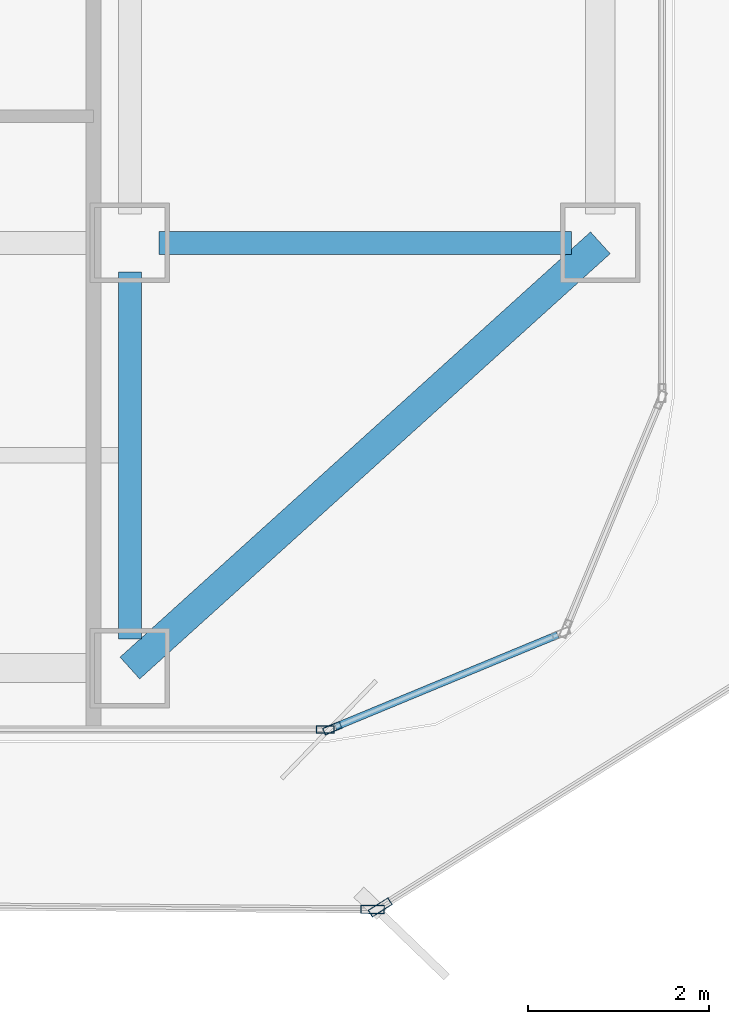
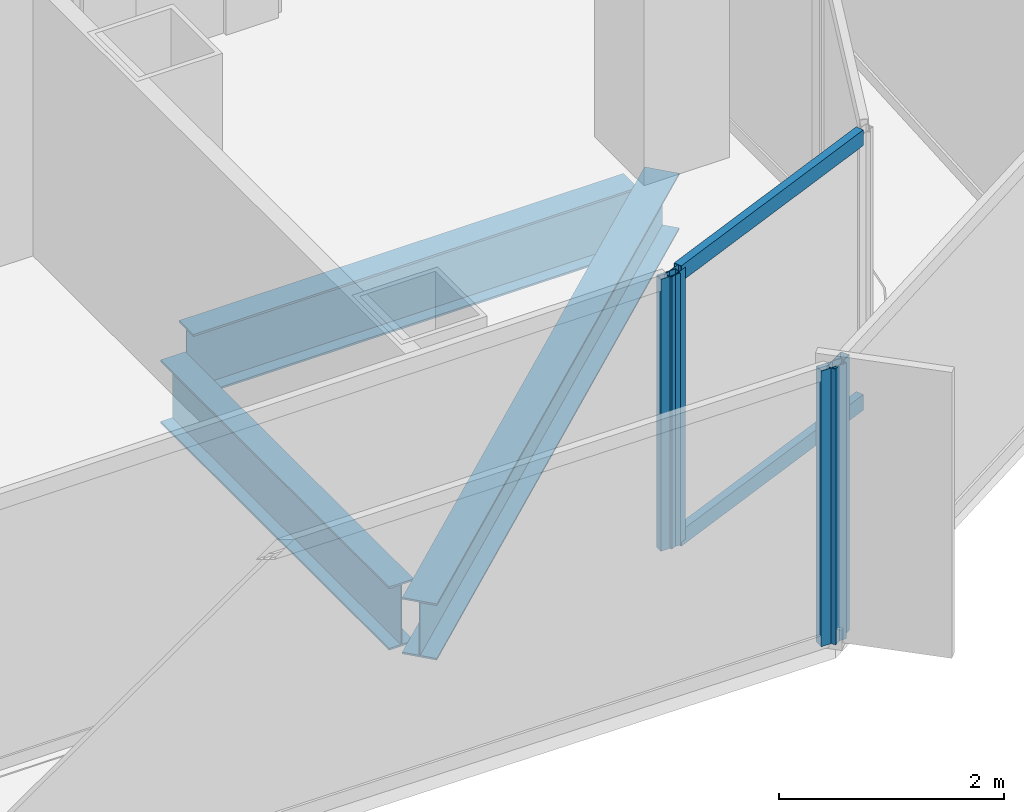
# One storey, part 6 of 21: 6 members, 3 beams, 4 elements without a shape of their own.
"""IFC4 building model written with IfcOpenShell, lengths in metres."""

from ifc_helpers import new_model, si_unit, direction, frame, origin, origin_2d, place, context, subcontext, project, spatial, hollow_rectangle, i_section, extrude, source, transform, mapped, material, layer, layer_set, material_profile, profile_set, type_object, element, aggregate, save


model = new_model("IFC4")

# Units and contexts
model_context = context("Model", 3, precision=1e-05, world=origin(), true_north=direction((0.0, 1.0)))
body_context = subcontext(model_context, "Body", "Model", "MODEL_VIEW")
ifc_project = project(units=[si_unit("LENGTHUNIT", "METRE"), si_unit("AREAUNIT", "SQUARE_METRE"), si_unit("VOLUMEUNIT", "CUBIC_METRE"), si_unit("PLANEANGLEUNIT", "RADIAN"), si_unit("MASSUNIT", "GRAM", prefix="KILO")], contexts=[model_context])

# Site, building, storey
site_placement = place(None, origin())
site = spatial("IfcSite", under=ifc_project, at=site_placement, CompositionType="ELEMENT")
building_placement = place(site_placement, origin())
building = spatial("IfcBuilding", under=site, at=building_placement, Name="Kolveth Station Tower", CompositionType="ELEMENT")
storey_placement = place(building_placement, frame((0.0, 0.0, 105.5)))
storey = spatial("IfcBuildingStorey", under=building, at=storey_placement, Name="L28", CompositionType="ELEMENT", Elevation=105.5)

# Beams
ifc_material_1 = material(Name="Steel S355", Category="steel")
ifc_material_profile_1 = material_profile(ifc_material_1, i_section(OverallWidth=0.323974609375, OverallDepth=0.611083984375, WebThickness=0.0126953125, FlangeThickness=0.01904296875, at=origin_2d()), Name="W610x155")
ifc_profile_set_1 = profile_set([ifc_material_profile_1], Name="Steel S355")
beam_type_1 = type_object("IfcBeamType", Name="Beam_SP2", PredefinedType="SPANDREL", material=ifc_profile_set_1)
shared_shape_1 = source(origin(), body_context, "Body", "SweptSolid", [
    extrude(i_section(OverallWidth=0.323974609375, OverallDepth=0.611083984375, WebThickness=0.0126953125, FlangeThickness=0.01904296875, at=origin_2d()), origin(), (0.0, 0.0, 1.0), 7.00927734375),
])
beam_1_placement = place(storey_placement, frame((41.0, 0.800048828125, -0.555419921875), z_axis=(0.741874009795, 0.670539300557, 0.0), x_axis=(-0.670539300557, 0.741874009795, 0.0)))
element("IfcBeam", 1, at=beam_1_placement, inside=storey, type_object=beam_type_1, Name="L28 Corner Edge Girder BM-L28-CNR-SE", PredefinedType="SPANDREL", context=body_context, shape_type="MappedRepresentation", body=[
    mapped(shared_shape_1, transform((0.0, 0.0, 0.0), x_axis=(1.0, 0.0, 0.0), y_axis=(0.0, 1.0, 0.0), z_axis=(0.0, 0.0, 1.0), scale=1.0)),
])
ifc_material_profile_2 = material_profile(ifc_material_1, i_section(OverallWidth=0.25390625, OverallDepth=0.68798828125, WebThickness=0.01318359375, FlangeThickness=0.02099609375, at=origin_2d()), Name="W690x152")
ifc_profile_set_2 = profile_set([ifc_material_profile_2], Name="Steel S355")
beam_type_2 = type_object("IfcBeamType", Name="Beam_B4", PredefinedType="BEAM", material=ifc_profile_set_2)
shared_shape_2 = source(origin(), body_context, "Body", "SweptSolid", [
    extrude(i_section(OverallWidth=0.25390625, OverallDepth=0.68798828125, WebThickness=0.01318359375, FlangeThickness=0.02099609375, at=origin_2d()), origin(), (0.0, 0.0, 1.0), 4.559814453125),
])
beam_2_placement = place(storey_placement, frame((41.320068359375, 5.5, -0.593994140625), z_axis=(1.0, 0.0, 0.0), x_axis=(0.0, 1.0, 0.0)))
element("IfcBeam", 2, at=beam_2_placement, inside=storey, type_object=beam_type_2, Name="L28 Primary Girder BM-L28-GY55-7", PredefinedType="BEAM", context=body_context, shape_type="MappedRepresentation", body=[
    mapped(shared_shape_2, transform((0.0, 0.0, 0.0), x_axis=(1.0, 0.0, 0.0), y_axis=(0.0, 1.0, 0.0), z_axis=(0.0, 0.0, 1.0), scale=1.0)),
])
shared_shape_3 = source(origin(), body_context, "Body", "SweptSolid", [
    extrude(i_section(OverallWidth=0.25390625, OverallDepth=0.68798828125, WebThickness=0.01318359375, FlangeThickness=0.02099609375, at=origin_2d()), origin(), (0.0, 0.0, 1.0), 4.059814453125),
])
beam_3_placement = place(storey_placement, frame((41.0, 1.1201171875, -0.593994140625), z_axis=(0.0, 1.0, 0.0), x_axis=(-1.0, 0.0, 0.0)))
element("IfcBeam", 3, at=beam_3_placement, inside=storey, type_object=beam_type_2, Name="L28 Primary Girder BM-L28-GX410-1", PredefinedType="BEAM", context=body_context, shape_type="MappedRepresentation", body=[
    mapped(shared_shape_3, transform((0.0, 0.0, 0.0), x_axis=(1.0, 0.0, 0.0), y_axis=(0.0, 1.0, 0.0), z_axis=(0.0, 0.0, 1.0), scale=1.0)),
])

# Curtain wall, member
ifc_material_2 = material(Name="Aluminium 6063-T6 and low-E dark glass", Category="aluminium")
ifc_layer_1 = layer(ifc_material_2, 0.18994140625)
ifc_layer_set_1 = layer_set([ifc_layer_1], Name="Aluminium 6063-T6 and low-E dark glass")
curtain_wall_type_1 = type_object("IfcCurtainWallType", Name="CurtainWall_CW-Z2", PredefinedType="NOTDEFINED", material=ifc_layer_set_1)
curtain_wall_1_placement = place(storey_placement, origin())
curtain_wall_1 = element("IfcCurtainWall", 4, at=curtain_wall_1_placement, inside=storey, type_object=curtain_wall_type_1, Name="L28 Inner Thermal Curtain Wall 1", PredefinedType="NOTDEFINED")
ifc_material_3 = material(Name="Black anodized aluminium 6063-T6", Category="aluminium")
ifc_material_profile_3 = material_profile(ifc_material_3, hollow_rectangle(XDim=0.080078125, YDim=0.199951171875, WallThickness=0.0048828125, at=origin_2d()), Name="ALU-80x200x5")
ifc_profile_set_3 = profile_set([ifc_material_profile_3], Name="Black anodized aluminium 6063-T6")
member_type_1 = type_object("IfcMemberType", Name="Mullion_ML2", PredefinedType="MULLION", material=ifc_profile_set_3)
shared_shape_4 = source(origin(), body_context, "Body", "SweptSolid", [
    extrude(hollow_rectangle(XDim=0.080078125, YDim=0.199951171875, WallThickness=0.0048828125, at=origin_2d()), origin(), (0.0, 0.0, 1.0), 2.949951171875),
])
member_1_placement = place(storey_placement, frame((43.237060546875, 0.13525390625, 0.0), z_axis=(0.0, 0.0, 1.0), x_axis=(-0.38266326998, 0.923887883787, 0.0)))
member_1 = element("IfcMember", 5, at=member_1_placement, type_object=member_type_1, Name="CW-Z2 mullion 1", PredefinedType="MULLION", context=body_context, shape_type="MappedRepresentation", body=[
    mapped(shared_shape_4, transform((0.0, 0.0, 0.0), x_axis=(1.0, 0.0, 0.0), y_axis=(0.0, 1.0, 0.0), z_axis=(0.0, 0.0, 1.0), scale=1.0)),
])

curtain_wall_2_placement = place(storey_placement, origin())
curtain_wall_2 = element("IfcCurtainWall", 6, at=curtain_wall_2_placement, inside=storey, type_object=curtain_wall_type_1, Name="L28 Inner Thermal Curtain Wall 12", PredefinedType="NOTDEFINED")
member_2_placement = place(storey_placement, frame((43.159912109375, 0.1201171875, 0.0), z_axis=(0.0, 0.0, 1.0), x_axis=(0.0, 1.0, 0.0)))
member_2 = element("IfcMember", 7, at=member_2_placement, type_object=member_type_1, Name="CW-Z2 mullion 3", PredefinedType="MULLION", context=body_context, shape_type="MappedRepresentation", body=[
    mapped(shared_shape_4, transform((0.0, 0.0, 0.0), x_axis=(1.0, 0.0, 0.0), y_axis=(0.0, 1.0, 0.0), z_axis=(0.0, 0.0, 1.0), scale=1.0)),
])
aggregate(curtain_wall_2, [member_2])

# Member
ifc_material_profile_4 = material_profile(ifc_material_3, hollow_rectangle(XDim=0.080078125, YDim=0.169921875, WallThickness=0.0048828125, at=origin_2d()), Name="ALU-80x170x5")
ifc_profile_set_4 = profile_set([ifc_material_profile_4], Name="Black anodized aluminium 6063-T6")
member_type_2 = type_object("IfcMemberType", Name="Transom_TR2", PredefinedType="USERDEFINED", material=ifc_profile_set_4)
shared_shape_5 = source(origin(), body_context, "Body", "SweptSolid", [
    extrude(hollow_rectangle(XDim=0.080078125, YDim=0.169921875, WallThickness=0.0048828125, at=origin_2d()), origin(), (0.0, 0.0, 1.0), 2.656494140625),
])
member_3_placement = place(storey_placement, frame((43.27392578125, 0.150634765625, 0.0400390625), z_axis=(0.923882422403, 0.382676455475, 0.0), x_axis=(-0.382676455475, 0.923882422403, 0.0)))
member_3 = element("IfcMember", 8, at=member_3_placement, type_object=member_type_2, Name="CW-Z2 transom 1.1", ObjectType="TRANSOM", PredefinedType="USERDEFINED", context=body_context, shape_type="MappedRepresentation", body=[
    mapped(shared_shape_5, transform((0.0, 0.0, 0.0), x_axis=(1.0, 0.0, 0.0), y_axis=(0.0, 1.0, 0.0), z_axis=(0.0, 0.0, 1.0), scale=1.0)),
])

member_4_placement = place(storey_placement, frame((43.27392578125, 0.150634765625, 2.909912109375), z_axis=(0.923882422403, 0.382676455475, 0.0), x_axis=(-0.382676455475, 0.923882422403, 0.0)))
member_4 = element("IfcMember", 9, at=member_4_placement, type_object=member_type_2, Name="CW-Z2 transom 1.2", ObjectType="TRANSOM", PredefinedType="USERDEFINED", context=body_context, shape_type="MappedRepresentation", body=[
    mapped(shared_shape_5, transform((0.0, 0.0, 0.0), x_axis=(1.0, 0.0, 0.0), y_axis=(0.0, 1.0, 0.0), z_axis=(0.0, 0.0, 1.0), scale=1.0)),
])

aggregate(curtain_wall_1, [member_1, member_3, member_4])

# Curtain wall, member
ifc_material_4 = material(Name="Black anodized aluminium 6063-T6 and dark solar glass", Category="aluminium")
ifc_layer_2 = layer(ifc_material_4, 0.159912109375)
ifc_layer_set_2 = layer_set([ifc_layer_2], Name="Black anodized aluminium 6063-T6 and dark solar glass")
curtain_wall_type_2 = type_object("IfcCurtainWallType", Name="OUTER SKIN CW-OS", PredefinedType="NOTDEFINED", material=ifc_layer_set_2)
curtain_wall_3_placement = place(storey_placement, origin())
curtain_wall_3 = element("IfcCurtainWall", 10, at=curtain_wall_3_placement, inside=storey, type_object=curtain_wall_type_2, Name="L28 Outer Ventilated Skin Curtain Wall 1", PredefinedType="NOTDEFINED")
ifc_material_profile_5 = material_profile(ifc_material_3, hollow_rectangle(XDim=0.090087890625, YDim=0.260009765625, WallThickness=0.0048828125, at=origin_2d()), Name="ALU-90x260x5")
ifc_profile_set_5 = profile_set([ifc_material_profile_5], Name="Black anodized aluminium 6063-T6")
member_type_3 = type_object("IfcMemberType", Name="FIN MULLION ML-OS", PredefinedType="MULLION", material=ifc_profile_set_5)
shared_shape_6 = source(origin(), body_context, "Body", "SweptSolid", [
    extrude(hollow_rectangle(XDim=0.090087890625, YDim=0.260009765625, WallThickness=0.0048828125, at=origin_2d()), origin(), (0.0, 0.0, 1.0), 2.989990234375),
])
member_5_placement = place(storey_placement, frame((43.766845703125, -1.84423828125, 0.0), z_axis=(0.0, 0.0, 1.0), x_axis=(-0.531192061917, 0.847251434555, 0.0)))
member_5 = element("IfcMember", 11, at=member_5_placement, type_object=member_type_3, Name="CW-OS mullion 1", PredefinedType="MULLION", context=body_context, shape_type="MappedRepresentation", body=[
    mapped(shared_shape_6, transform((0.0, 0.0, 0.0), x_axis=(1.0, 0.0, 0.0), y_axis=(0.0, 1.0, 0.0), z_axis=(0.0, 0.0, 1.0), scale=1.0)),
])
aggregate(curtain_wall_3, [member_5])

curtain_wall_4_placement = place(storey_placement, origin())
curtain_wall_4 = element("IfcCurtainWall", 12, at=curtain_wall_4_placement, inside=storey, type_object=curtain_wall_type_2, Name="L28 Outer Ventilated Skin Curtain Wall 8", PredefinedType="NOTDEFINED")
member_6_placement = place(storey_placement, frame((43.68359375, -1.86767578125, 0.0), z_axis=(0.0, 0.0, 1.0), x_axis=(0.007147750448, 0.999974454505, 0.0)))
member_6 = element("IfcMember", 13, at=member_6_placement, type_object=member_type_3, Name="CW-OS mullion 2", PredefinedType="MULLION", context=body_context, shape_type="MappedRepresentation", body=[
    mapped(shared_shape_6, transform((0.0, 0.0, 0.0), x_axis=(1.0, 0.0, 0.0), y_axis=(0.0, 1.0, 0.0), z_axis=(0.0, 0.0, 1.0), scale=1.0)),
])
aggregate(curtain_wall_4, [member_6])

save(model, "model.ifc")
